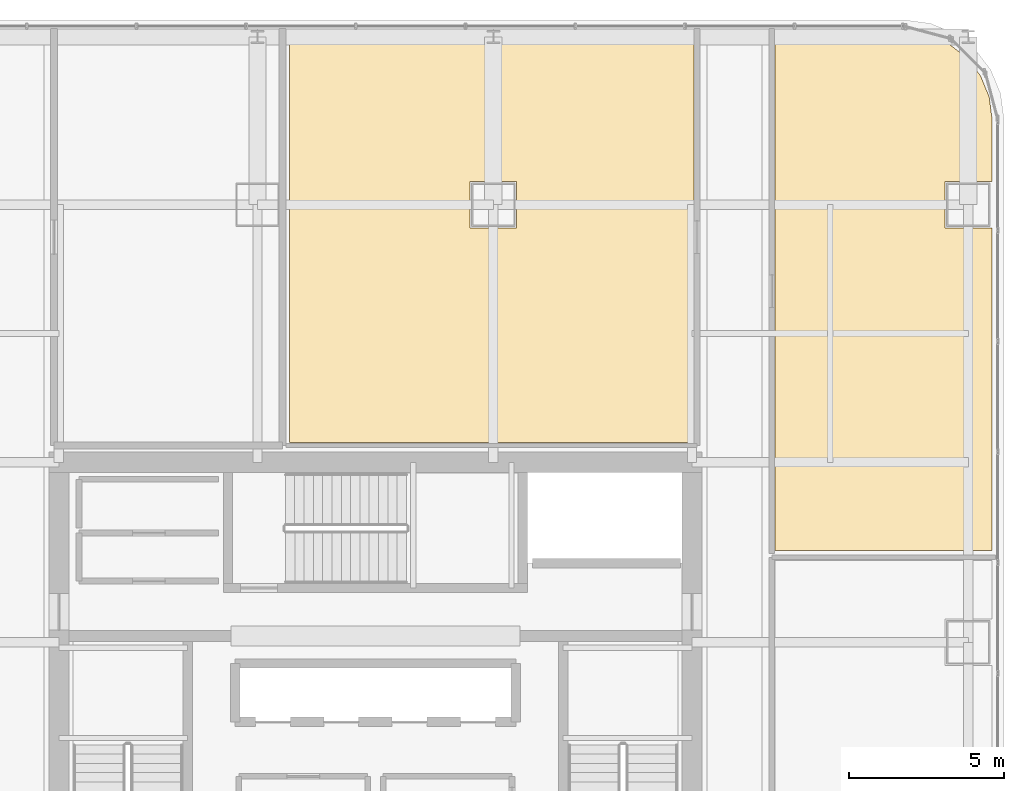
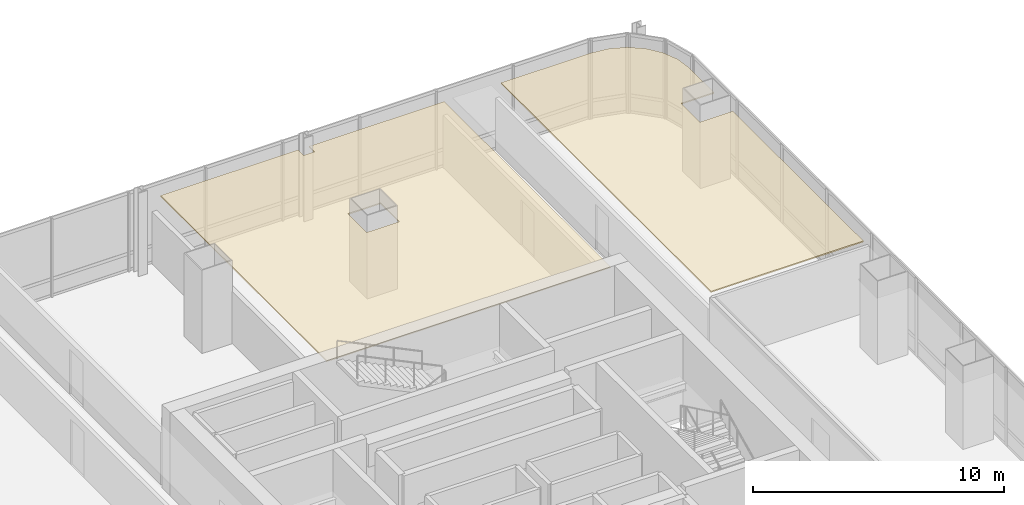
# One storey, part 37 of 37: 2 coverings.
"""IFC4 building model written with IfcOpenShell, lengths in metres."""

from ifc_helpers import new_model, si_unit, direction, frame, origin, place, context, subcontext, project, spatial, polyline, outline, extrude, material, layer, layer_set, type_object, element, save


model = new_model("IFC4")

# Units and contexts
model_context = context("Model", 3, precision=1e-05, world=origin(), true_north=direction((0.0, 1.0)))
body_context = subcontext(model_context, "Body", "Model", "MODEL_VIEW")
ifc_project = project(units=[si_unit("LENGTHUNIT", "METRE"), si_unit("AREAUNIT", "SQUARE_METRE"), si_unit("VOLUMEUNIT", "CUBIC_METRE"), si_unit("PLANEANGLEUNIT", "RADIAN"), si_unit("MASSUNIT", "GRAM", prefix="KILO")], contexts=[model_context])

# Site, building, storey
site_placement = place(None, origin())
site = spatial("IfcSite", under=ifc_project, at=site_placement, CompositionType="ELEMENT")
building_placement = place(site_placement, origin())
building = spatial("IfcBuilding", under=site, at=building_placement, Name="Punatoya Terracotta Tower", CompositionType="ELEMENT")
storey_placement = place(building_placement, frame((0.0, 0.0, 164.10009765625)))
storey = spatial("IfcBuildingStorey", under=building, at=storey_placement, Name="L38", CompositionType="ELEMENT", Elevation=164.10009765625)

# Coverings
ifc_material = material(Name="Acoustic Mineral Fibre Ceiling")
ifc_layer = layer(ifc_material, 0.06005859375)
ifc_layer_set = layer_set([ifc_layer], Name="Acoustic Mineral Fibre Ceiling")
covering_type = type_object("IfcCoveringType", Name="COV-CEIL-60", PredefinedType="CEILING", material=ifc_layer_set)
covering_1_placement = place(storey_placement, frame((0.0, 0.0, 3.219970703125)))
element("IfcCovering", 1, at=covering_1_placement, inside=storey, type_object=covering_type, Name="L38 Open-Plan Wellness Rest Room Acoustic Ceiling", PredefinedType="CEILING", context=body_context, shape_type="SweptSolid", body=[
    extrude(outline(polyline([(12.8701171875, 23.070068359375), (12.8701171875, 6.360107421875), (19.8701171875, 6.360107421875), (19.8701171875, 16.75), (18.35009765625, 16.75), (18.35009765625, 18.25), (19.8701171875, 18.25), (19.8701171875, 20.22509765625), (19.770751953125, 20.97900390625), (19.489501953125, 21.658203125), (19.041748046875, 22.24169921875), (18.458251953125, 22.689453125), (17.779052734375, 22.970703125), (17.025146484375, 23.070068359375), (12.8701171875, 23.070068359375)])), origin(), (0.0, 0.0, 1.0), 0.059814453125),
])
covering_2_placement = place(storey_placement, frame((0.0, 0.0, 3.219970703125)))
element("IfcCovering", 2, at=covering_2_placement, inside=storey, type_object=covering_type, Name="L38 Hydrology Modelling Laboratory Acoustic Ceiling", PredefinedType="CEILING", context=body_context, shape_type="SweptSolid", body=[
    extrude(outline(polyline([(10.260009765625, 9.840087890625), (10.260009765625, 23.070068359375), (4.054443359375, 23.070068359375), (4.054443359375, 22.637451171875), (3.54541015625, 22.637451171875), (3.54541015625, 23.070068359375), (-2.77392578125, 23.070068359375), (-2.77392578125, 9.840087890625), (10.260009765625, 9.840087890625)]), holes=[polyline([(4.550048828125, 16.75), (3.050048828125, 16.75), (3.050048828125, 18.25), (4.550048828125, 18.25), (4.550048828125, 16.75)])]), origin(), (0.0, 0.0, 1.0), 0.059814453125),
])

save(model, "model.ifc")
